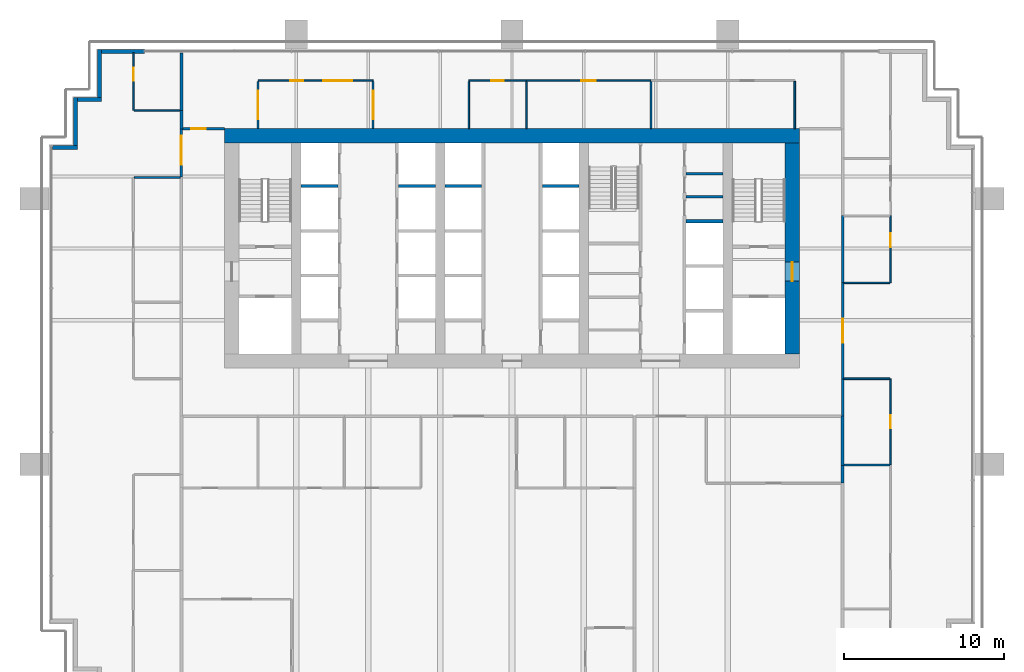
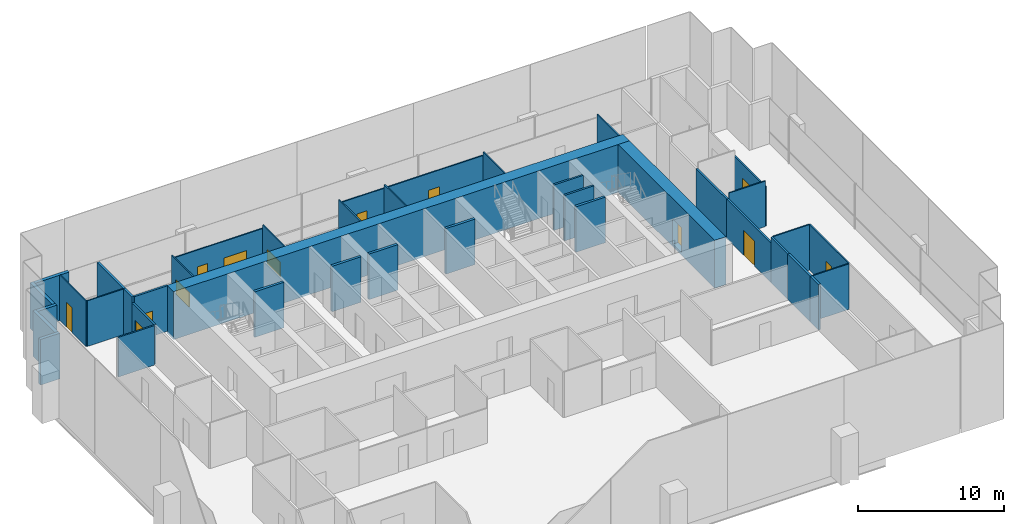
# One storey, part 13 of 17: 40 walls, 10 doors, 3 windows, 13 openings.
"""IFC4 building model written with IfcOpenShell, lengths in metres."""

from ifc_helpers import new_model, si_unit, direction, frame, frame_2d, origin, place, context, subcontext, project, spatial, rectangle, extrude, material, layer, layer_set, type_object, element, fill, save


model = new_model("IFC4")

# Units and contexts
model_context = context("Model", 3, precision=1e-05, world=origin(), true_north=direction((0.0, 1.0)))
body_context = subcontext(model_context, "Body", "Model", "MODEL_VIEW")
ifc_project = project(units=[si_unit("LENGTHUNIT", "METRE"), si_unit("AREAUNIT", "SQUARE_METRE"), si_unit("VOLUMEUNIT", "CUBIC_METRE"), si_unit("PLANEANGLEUNIT", "RADIAN"), si_unit("MASSUNIT", "GRAM", prefix="KILO")], contexts=[model_context])

# Site, building, storey
site_placement = place(None, origin())
site = spatial("IfcSite", under=ifc_project, at=site_placement, CompositionType="ELEMENT")
building_placement = place(site_placement, origin())
building = spatial("IfcBuilding", under=site, at=building_placement, Name="Rattan Terrace Tower", CompositionType="ELEMENT")
storey_placement = place(building_placement, frame((0.0, 0.0, 126.10009765625)))
storey = spatial("IfcBuildingStorey", under=building, at=storey_placement, Name="L28", CompositionType="ELEMENT", Elevation=126.10009765625)

# Walls
ifc_material_1 = material(Name="Gypsum board partition")
ifc_layer_1 = layer(ifc_material_1, 0.14990234375)
ifc_layer_set_1 = layer_set([ifc_layer_1], Name="Core partition 150")
wall_type_1 = type_object("IfcWallType", Name="Core partition 150", PredefinedType="PARTITIONING", material=ifc_layer_set_1)
for number, where, z_axis, x_axis, name in (
    (1, (10.89990234375, 3.239990234375, 0.0), (0.0, 0.0, 1.0), (1.0, 0.0, 0.0), "Riser room wall"),
    (2, (10.89990234375, 4.679931640625, 0.0), (0.0, 0.0, 1.0), (1.0, 0.0, 0.0), "Riser room wall"),
):
    element("IfcWall", number, at=place(storey_placement, frame(where, z_axis=z_axis, x_axis=x_axis)), inside=storey, type_object=wall_type_1, Name=name, PredefinedType="PARTITIONING", context=body_context, shape_type="SweptSolid", body=[
        extrude(rectangle(XDim=2.300048828125, YDim=0.14990234375, at=frame_2d((1.14990234375, 0.0))), origin(), (0.0, 0.0, 1.0), 3.7998046875),
    ])
ifc_material_2 = material(Name="Concrete C60/75", Category="concrete")
ifc_layer_2 = layer(ifc_material_2, 0.89990234375)
ifc_layer_set_2 = layer_set([ifc_layer_2], Name="Core ring wall 900 C60/75")
wall_type_2 = type_object("IfcWallType", Name="Core ring wall 900 C60/75", PredefinedType="SHEAR", material=ifc_layer_set_2)
wall_1_placement = place(storey_placement, frame((-18.0, 7.050048828125, -0.2001953125), z_axis=(0.0, 0.0, 1.0), x_axis=(1.0, 0.0, 0.0)))
element("IfcWall", 3, at=wall_1_placement, inside=storey, type_object=wall_type_2, Name="Rear core wall north", PredefinedType="SHEAR", context=body_context, shape_type="SweptSolid", body=[
    extrude(rectangle(XDim=36.0, YDim=0.89990234375, at=frame_2d((18.0, 0.0))), origin(), (0.0, 0.0, 1.0), 4.0),
])

# Wall, opening, door
wall_2_placement = place(storey_placement, frame((17.550048828125, -6.60009765625, -0.2001953125), z_axis=(0.0, 0.0, 1.0), x_axis=(0.0, 1.0, 0.0)))
wall_2 = element("IfcWall", 4, at=wall_2_placement, inside=storey, type_object=wall_type_2, Name="Rear core wall east", PredefinedType="SHEAR", context=body_context, shape_type="SweptSolid", body=[
    extrude(rectangle(XDim=13.2001953125, YDim=0.89990234375, at=frame_2d((6.60009765625, 0.0))), origin(), (0.0, 0.0, 1.0), 4.0),
])
opening_1_placement = place(wall_2_placement, frame((4.550048828125, 0.0, 0.199951171875)))
opening_1 = element("IfcOpeningElement", 5, at=opening_1_placement, cuts=wall_2, Name="Opening L28-D003", PredefinedType="OPENING", context=body_context, shape_type="SweptSolid", body=[
    extrude(rectangle(XDim=1.199951171875, YDim=2.10009765625, at=frame_2d((0.60009765625, 1.050048828125))), frame((0.0, 0.46044921875, 0.0), z_axis=(0.0, -1.0, 0.0), x_axis=(1.0, 0.0, 0.0)), (0.0, 0.0, 1.0), 0.9208984375),
])
ifc_material_3 = material(Name="Hollow-metal fire door leaf")
door_type_1 = type_object("IfcDoorType", Name="Core fire-fighting lobby door 1200", OperationType="NOTDEFINED", PredefinedType="DOOR", material=ifc_material_3)
door_1_placement = place(opening_1_placement, origin())
door_1 = element("IfcDoor", 6, at=door_1_placement, inside=storey, type_object=door_type_1, Name="Door L28-D003", OperationType="SINGLE_SWING_LEFT", OverallHeight=2.10009765625, OverallWidth=1.199951171875, PredefinedType="DOOR", context=body_context, shape_type="SweptSolid", body=[
    extrude(rectangle(XDim=1.199951171875, YDim=2.10009765625, at=frame_2d((0.60009765625, 1.050048828125))), frame((0.0, 0.02490234375, 0.0), z_axis=(0.0, -1.0, 0.0), x_axis=(1.0, 0.0, 0.0)), (0.0, 0.0, 1.0), 0.050048828125),
])
fill(opening_1, door_1)

# Walls
ifc_material_4 = material(Name="Insulated aluminium-clad stud wall", Category="aluminium")
ifc_layer_3 = layer(ifc_material_4, 0.25)
ifc_layer_set_3 = layer_set([ifc_layer_3], Name="Facade Riser Wall 250")
wall_type_3 = type_object("IfcWallType", Name="Facade Riser Wall 250", PredefinedType="SOLIDWALL", material=ifc_layer_set_3)
wall_3_placement = place(storey_placement, frame((-23.0, 12.330078125, 0.0), z_axis=(0.0, 0.0, 1.0), x_axis=(-1.0, 0.0, 0.0)))
element("IfcWall", 7, at=wall_3_placement, inside=storey, type_object=wall_type_3, Name="Riser wall L28-11", PredefinedType="SOLIDWALL", context=body_context, shape_type="SweptSolid", body=[
    extrude(rectangle(XDim=2.705078125, YDim=0.25, at=frame_2d((1.3525390625, 0.0))), origin(), (0.0, 0.0, 1.0), 3.7998046875),
])
wall_4_placement = place(storey_placement, frame((-25.830078125, 12.455078125, 0.0), z_axis=(0.0, 0.0, 1.0), x_axis=(0.0, -1.0, 0.0)))
element("IfcWall", 8, at=wall_4_placement, inside=storey, type_object=wall_type_3, Name="Riser wall L28-12", PredefinedType="SOLIDWALL", context=body_context, shape_type="SweptSolid", body=[
    extrude(rectangle(XDim=3.0, YDim=0.25, at=frame_2d((1.5, 0.0))), origin(), (0.0, 0.0, 1.0), 3.7998046875),
])
wall_5_placement = place(storey_placement, frame((-25.705078125, 9.330078125, 0.0), z_axis=(0.0, 0.0, 1.0), x_axis=(-1.0, 0.0, 0.0)))
element("IfcWall", 9, at=wall_5_placement, inside=storey, type_object=wall_type_3, Name="Riser wall L28-13", PredefinedType="SOLIDWALL", context=body_context, shape_type="SweptSolid", body=[
    extrude(rectangle(XDim=1.5, YDim=0.25, at=frame_2d((0.75, 0.0))), origin(), (0.0, 0.0, 1.0), 3.7998046875),
])
wall_6_placement = place(storey_placement, frame((-27.330078125, 9.455078125, 0.0), z_axis=(0.0, 0.0, 1.0), x_axis=(0.0, -1.0, 0.0)))
element("IfcWall", 10, at=wall_6_placement, inside=storey, type_object=wall_type_3, Name="Riser wall L28-14", PredefinedType="SOLIDWALL", context=body_context, shape_type="SweptSolid", body=[
    extrude(rectangle(XDim=3.0, YDim=0.25, at=frame_2d((1.5, 0.0))), origin(), (0.0, 0.0, 1.0), 3.7998046875),
])
wall_7_placement = place(storey_placement, frame((-27.205078125, 6.330078125, 0.0), z_axis=(0.0, 0.0, 1.0), x_axis=(-1.0, 0.0, 0.0)))
element("IfcWall", 11, at=wall_7_placement, inside=storey, type_object=wall_type_3, Name="Riser wall L28-15", PredefinedType="SOLIDWALL", context=body_context, shape_type="SweptSolid", body=[
    extrude(rectangle(XDim=1.544921875, YDim=0.25, at=frame_2d((0.7724609375, 0.0))), origin(), (0.0, 0.0, 1.0), 3.7998046875),
])
ifc_material_5 = material(Name="Double steel stud acoustic partition, gypsum board, mineral wool, fire rated", Category="steel")
ifc_layer_4 = layer(ifc_material_5, 0.179931640625)
ifc_layer_set_4 = layer_set([ifc_layer_4], Name="Floors Acoustic Party Wall 180")
wall_type_4 = type_object("IfcWallType", Name="Floors Acoustic Party Wall 180", PredefinedType="PARTITIONING", material=ifc_layer_set_4)
wall_8_placement = place(storey_placement, frame((-20.699951171875, 8.639892578125, 0.0), z_axis=(0.0, 0.0, 1.0), x_axis=(0.0, -1.0, 0.0)))
element("IfcWall", 12, at=wall_8_placement, inside=storey, type_object=wall_type_4, Name="pt-L28-030", PredefinedType="PARTITIONING", context=body_context, shape_type="SweptSolid", body=[
    extrude(rectangle(XDim=1.159912109375, YDim=0.179931640625, at=frame_2d((0.580078125, 0.0))), origin(), (0.0, 0.0, 1.0), 3.7998046875),
])
wall_9_placement = place(storey_placement, frame((-20.699951171875, 12.239990234375, 0.0), z_axis=(0.0, 0.0, 1.0), x_axis=(0.0, -1.0, 0.0)))
element("IfcWall", 13, at=wall_9_placement, inside=storey, type_object=wall_type_4, Name="pt-L28-037", PredefinedType="PARTITIONING", context=body_context, shape_type="SweptSolid", body=[
    extrude(rectangle(XDim=3.60009765625, YDim=0.179931640625, at=frame_2d((1.800048828125, 0.0))), origin(), (0.0, 0.0, 1.0), 3.7998046875),
])
wall_10_placement = place(storey_placement, frame((20.699951171875, -13.580078125, 0.0), z_axis=(0.0, 0.0, 1.0), x_axis=(0.0, -1.0, 0.0)))
element("IfcWall", 14, at=wall_10_placement, inside=storey, type_object=wall_type_4, Name="pt-L28-060", PredefinedType="PARTITIONING", context=body_context, shape_type="SweptSolid", body=[
    extrude(rectangle(XDim=1.119873046875, YDim=0.179931640625, at=frame_2d((0.56005859375, 0.0))), origin(), (0.0, 0.0, 1.0), 3.7998046875),
])
wall_11_placement = place(storey_placement, frame((20.699951171875, -10.5, 0.0), z_axis=(0.0, 0.0, 1.0), x_axis=(0.0, -1.0, 0.0)))
element("IfcWall", 15, at=wall_11_placement, inside=storey, type_object=wall_type_4, Name="pt-L28-061", PredefinedType="PARTITIONING", context=body_context, shape_type="SweptSolid", body=[
    extrude(rectangle(XDim=3.080078125, YDim=0.179931640625, at=frame_2d((1.5400390625, 0.0))), origin(), (0.0, 0.0, 1.0), 3.7998046875),
])

# Wall, opening, door
ifc_material_6 = material(Name="Gypsum board partition on steel studs", Category="steel")
ifc_layer_5 = layer(ifc_material_6, 0.10009765625)
ifc_layer_set_5 = layer_set([ifc_layer_5], Name="Floors Partition 100")
wall_type_5 = type_object("IfcWallType", Name="Floors Partition 100", PredefinedType="PARTITIONING", material=ifc_layer_set_5)
wall_12_placement = place(storey_placement, frame((-23.699951171875, 12.239990234375, 0.0), z_axis=(0.0, 0.0, 1.0), x_axis=(0.0, -1.0, 0.0)))
wall_12 = element("IfcWall", 16, at=wall_12_placement, inside=storey, type_object=wall_type_5, Name="pt-L28-027", PredefinedType="PARTITIONING", context=body_context, shape_type="SweptSolid", body=[
    extrude(rectangle(XDim=3.60009765625, YDim=0.10009765625, at=frame_2d((1.800048828125, 0.0))), origin(), (0.0, 0.0, 1.0), 3.7998046875),
])
opening_2_placement = place(wall_12_placement, frame((0.93994140625, 0.0, 0.0)))
opening_2 = element("IfcOpeningElement", 17, at=opening_2_placement, cuts=wall_12, Name="Opening L28-D105", PredefinedType="OPENING", context=body_context, shape_type="SweptSolid", body=[
    extrude(rectangle(XDim=0.800048828125, YDim=2.10009765625, at=frame_2d((0.39990234375, 1.050048828125))), frame((0.0, 0.060546875, 0.0), z_axis=(0.0, -1.0, 0.0), x_axis=(1.0, 0.0, 0.0)), (0.0, 0.0, 1.0), 0.12109375),
])
ifc_material_7 = material(Name="Solid core timber door, painted", Category="wood")
door_type_2 = type_object("IfcDoorType", Name="Floors Store Door 800x2100", OperationType="NOTDEFINED", PredefinedType="DOOR", material=ifc_material_7)
door_2_placement = place(opening_2_placement, origin())
door_2 = element("IfcDoor", 18, at=door_2_placement, inside=storey, type_object=door_type_2, Name="d-L28-105", OperationType="SINGLE_SWING_LEFT", OverallHeight=2.10009765625, OverallWidth=0.800048828125, PredefinedType="DOOR", context=body_context, shape_type="SweptSolid", body=[
    extrude(rectangle(XDim=0.800048828125, YDim=2.10009765625, at=frame_2d((0.39990234375, 1.050048828125))), frame((0.0, 0.02490234375, 0.0), z_axis=(0.0, -1.0, 0.0), x_axis=(1.0, 0.0, 0.0)), (0.0, 0.0, 1.0), 0.050048828125),
])
fill(opening_2, door_2)

# Walls
wall_13_placement = place(storey_placement, frame((-23.64990234375, 8.639892578125, 0.0), z_axis=(0.0, 0.0, 1.0), x_axis=(1.0, 0.0, 0.0)))
element("IfcWall", 19, at=wall_13_placement, inside=storey, type_object=wall_type_5, Name="pt-L28-028", PredefinedType="PARTITIONING", context=body_context, shape_type="SweptSolid", body=[
    extrude(rectangle(XDim=2.85986328125, YDim=0.10009765625, at=frame_2d((1.429931640625, 0.0))), origin(), (0.0, 0.0, 1.0), 3.7998046875),
])
wall_14_placement = place(storey_placement, frame((23.64990234375, -8.159912109375, 0.0), z_axis=(0.0, 0.0, 1.0), x_axis=(-1.0, 0.0, 0.0)))
element("IfcWall", 20, at=wall_14_placement, inside=storey, type_object=wall_type_5, Name="pt-L28-065", PredefinedType="PARTITIONING", context=body_context, shape_type="SweptSolid", body=[
    extrude(rectangle(XDim=2.875, YDim=0.10009765625, at=frame_2d((1.4375, 0.0))), origin(), (0.0, 0.0, 1.0), 3.7998046875),
])

# Wall, opening, door
wall_15_placement = place(storey_placement, frame((23.699951171875, -13.5400390625, 0.0), z_axis=(0.0, 0.0, 1.0), x_axis=(0.0, 1.0, 0.0)))
wall_15 = element("IfcWall", 21, at=wall_15_placement, inside=storey, type_object=wall_type_5, Name="pt-L28-066", PredefinedType="PARTITIONING", context=body_context, shape_type="SweptSolid", body=[
    extrude(rectangle(XDim=5.380126953125, YDim=0.10009765625, at=frame_2d((2.68994140625, 0.0))), origin(), (0.0, 0.0, 1.0), 3.7998046875),
])
opening_3_placement = place(wall_15_placement, frame((2.2900390625, 0.0, 0.0)))
opening_3 = element("IfcOpeningElement", 22, at=opening_3_placement, cuts=wall_15, Name="Opening L28-D120", PredefinedType="OPENING", context=body_context, shape_type="SweptSolid", body=[
    extrude(rectangle(XDim=0.800048828125, YDim=2.10009765625, at=frame_2d((0.39990234375, 1.050048828125))), frame((0.0, 0.060546875, 0.0), z_axis=(0.0, -1.0, 0.0), x_axis=(1.0, 0.0, 0.0)), (0.0, 0.0, 1.0), 0.12109375),
])
door_3_placement = place(opening_3_placement, origin())
door_3 = element("IfcDoor", 23, at=door_3_placement, inside=storey, type_object=door_type_2, Name="d-L28-120", OperationType="SINGLE_SWING_LEFT", OverallHeight=2.10009765625, OverallWidth=0.800048828125, PredefinedType="DOOR", context=body_context, shape_type="SweptSolid", body=[
    extrude(rectangle(XDim=0.800048828125, YDim=2.10009765625, at=frame_2d((0.39990234375, 1.050048828125))), frame((0.0, 0.02490234375, 0.0), z_axis=(0.0, -1.0, 0.0), x_axis=(1.0, 0.0, 0.0)), (0.0, 0.0, 1.0), 0.050048828125),
])
fill(opening_3, door_3)

# Wall
wall_16_placement = place(storey_placement, frame((20.77490234375, -2.159912109375, 0.0), z_axis=(0.0, 0.0, 1.0), x_axis=(1.0, 0.0, 0.0)))
element("IfcWall", 24, at=wall_16_placement, inside=storey, type_object=wall_type_5, Name="pt-L28-067", PredefinedType="PARTITIONING", context=body_context, shape_type="SweptSolid", body=[
    extrude(rectangle(XDim=2.875, YDim=0.10009765625, at=frame_2d((1.4375, 0.0))), origin(), (0.0, 0.0, 1.0), 3.7998046875),
])

# Wall, opening, door
wall_17_placement = place(storey_placement, frame((23.699951171875, -2.159912109375, 0.0), z_axis=(0.0, 0.0, 1.0), x_axis=(0.0, 1.0, 0.0)))
wall_17 = element("IfcWall", 25, at=wall_17_placement, inside=storey, type_object=wall_type_5, Name="pt-L28-068", PredefinedType="PARTITIONING", context=body_context, shape_type="SweptSolid", body=[
    extrude(rectangle(XDim=4.219970703125, YDim=0.10009765625, at=frame_2d((2.10986328125, 0.0))), origin(), (0.0, 0.0, 1.0), 3.2998046875),
])
opening_4_placement = place(wall_17_placement, frame((2.22412109375, 0.0, 0.0)))
opening_4 = element("IfcOpeningElement", 26, at=opening_4_placement, cuts=wall_17, Name="Opening L28-D121", PredefinedType="OPENING", context=body_context, shape_type="SweptSolid", body=[
    extrude(rectangle(XDim=0.89990234375, YDim=2.10009765625, at=frame_2d((0.449951171875, 1.050048828125))), frame((0.0, 0.060546875, 0.0), z_axis=(0.0, -1.0, 0.0), x_axis=(1.0, 0.0, 0.0)), (0.0, 0.0, 1.0), 0.12109375),
])
ifc_material_8 = material(Name="Solid core timber door, painted", Category="wood")
door_type_3 = type_object("IfcDoorType", Name="Floors Door 900x2100", OperationType="NOTDEFINED", PredefinedType="DOOR", material=ifc_material_8)
door_4_placement = place(opening_4_placement, origin())
door_4 = element("IfcDoor", 27, at=door_4_placement, inside=storey, type_object=door_type_3, Name="d-L28-121", OperationType="SINGLE_SWING_RIGHT", OverallHeight=2.10009765625, OverallWidth=0.89990234375, PredefinedType="DOOR", context=body_context, shape_type="SweptSolid", body=[
    extrude(rectangle(XDim=0.89990234375, YDim=2.10009765625, at=frame_2d((0.449951171875, 1.050048828125))), frame((0.0, 0.02490234375, 0.0), z_axis=(0.0, -1.0, 0.0), x_axis=(1.0, 0.0, 0.0)), (0.0, 0.0, 1.0), 0.050048828125),
])
fill(opening_4, door_4)

# Wall
wall_18_placement = place(storey_placement, frame((20.7900390625, -13.56005859375, 0.0), z_axis=(0.0, 0.0, 1.0), x_axis=(1.0, 0.0, 0.0)))
element("IfcWall", 28, at=wall_18_placement, inside=storey, type_object=wall_type_5, Name="pt-L28-073", PredefinedType="PARTITIONING", context=body_context, shape_type="SweptSolid", body=[
    extrude(rectangle(XDim=2.85986328125, YDim=0.10009765625, at=frame_2d((1.429931640625, 0.0))), origin(), (0.0, 0.0, 1.0), 3.7998046875),
])

# Wall, opening, window
wall_19_placement = place(storey_placement, frame((-15.89990234375, 10.449951171875, 0.0), z_axis=(0.0, 0.0, 1.0), x_axis=(0.0, -1.0, 0.0)))
wall_19 = element("IfcWall", 29, at=wall_19_placement, inside=storey, type_object=wall_type_5, Name="pt-L28-077", PredefinedType="PARTITIONING", context=body_context, shape_type="SweptSolid", body=[
    extrude(rectangle(XDim=2.949951171875, YDim=0.10009765625, at=frame_2d((1.47509765625, 0.0))), origin(), (0.0, 0.0, 1.0), 3.7998046875),
])
opening_5_placement = place(wall_19_placement, frame((0.574951171875, 0.0, 0.89990234375)))
opening_5 = element("IfcOpeningElement", 30, at=opening_5_placement, cuts=wall_19, Name="Opening L28-W105", PredefinedType="OPENING", context=body_context, shape_type="SweptSolid", body=[
    extrude(rectangle(XDim=1.800048828125, YDim=1.199951171875, at=frame_2d((0.89990234375, 0.60009765625))), frame((0.0, 0.060546875, 0.0), z_axis=(0.0, -1.0, 0.0), x_axis=(1.0, 0.0, 0.0)), (0.0, 0.0, 1.0), 0.12109375),
])
ifc_material_9 = material(Name="Glass, clear, fixed in aluminium frame", Category="aluminium")
window_type = type_object("IfcWindowType", Name="Interior Vision Window 1800x1200", PartitioningType="SINGLE_PANEL", PredefinedType="WINDOW", material=ifc_material_9)
window_1_placement = place(opening_5_placement, origin())
window_1 = element("IfcWindow", 31, at=window_1_placement, inside=storey, type_object=window_type, Name="w-L28-105", OverallHeight=1.199951171875, OverallWidth=1.800048828125, PartitioningType="SINGLE_PANEL", PredefinedType="WINDOW", context=body_context, shape_type="SweptSolid", body=[
    extrude(rectangle(XDim=1.800048828125, YDim=1.199951171875, at=frame_2d((0.89990234375, 0.60009765625))), frame((0.0, 0.030029296875, 0.0), z_axis=(0.0, -1.0, 0.0), x_axis=(1.0, 0.0, 0.0)), (0.0, 0.0, 1.0), 0.06005859375),
])
fill(opening_5, window_1)

# Wall, openings, door, window
wall_20_placement = place(storey_placement, frame((-8.699951171875, 10.5, 0.0), z_axis=(0.0, 0.0, 1.0), x_axis=(-1.0, 0.0, 0.0)))
wall_20 = element("IfcWall", 32, at=wall_20_placement, inside=storey, type_object=wall_type_5, Name="pt-L28-078", PredefinedType="PARTITIONING", context=body_context, shape_type="SweptSolid", body=[
    extrude(rectangle(XDim=7.199951171875, YDim=0.10009765625, at=frame_2d((3.60009765625, 0.0))), origin(), (0.0, 0.0, 1.0), 3.5),
])
opening_6_placement = place(wall_20_placement, frame((4.3798828125, 0.0, 0.0)))
opening_6 = element("IfcOpeningElement", 33, at=opening_6_placement, cuts=wall_20, Name="Opening L28-D125", PredefinedType="OPENING", context=body_context, shape_type="SweptSolid", body=[
    extrude(rectangle(XDim=0.800048828125, YDim=2.10009765625, at=frame_2d((0.39990234375, 1.050048828125))), frame((0.0, 0.060546875, 0.0), z_axis=(0.0, -1.0, 0.0), x_axis=(1.0, 0.0, 0.0)), (0.0, 0.0, 1.0), 0.12109375),
])
opening_7_placement = place(wall_20_placement, frame((1.31494140625, 0.0, 0.89990234375)))
opening_7 = element("IfcOpeningElement", 34, at=opening_7_placement, cuts=wall_20, Name="Opening L28-W106", PredefinedType="OPENING", context=body_context, shape_type="SweptSolid", body=[
    extrude(rectangle(XDim=1.800048828125, YDim=1.199951171875, at=frame_2d((0.89990234375, 0.60009765625))), frame((0.0, 0.060546875, 0.0), z_axis=(0.0, -1.0, 0.0), x_axis=(1.0, 0.0, 0.0)), (0.0, 0.0, 1.0), 0.12109375),
])
door_5_placement = place(opening_6_placement, origin())
door_5 = element("IfcDoor", 35, at=door_5_placement, inside=storey, type_object=door_type_2, Name="d-L28-125", OperationType="SINGLE_SWING_RIGHT", OverallHeight=2.10009765625, OverallWidth=0.800048828125, PredefinedType="DOOR", context=body_context, shape_type="SweptSolid", body=[
    extrude(rectangle(XDim=0.800048828125, YDim=2.10009765625, at=frame_2d((0.39990234375, 1.050048828125))), frame((0.0, 0.02490234375, 0.0), z_axis=(0.0, -1.0, 0.0), x_axis=(1.0, 0.0, 0.0)), (0.0, 0.0, 1.0), 0.050048828125),
])
fill(opening_6, door_5)
window_2_placement = place(opening_7_placement, origin())
window_2 = element("IfcWindow", 36, at=window_2_placement, inside=storey, type_object=window_type, Name="w-L28-106", OverallHeight=1.199951171875, OverallWidth=1.800048828125, PartitioningType="SINGLE_PANEL", PredefinedType="WINDOW", context=body_context, shape_type="SweptSolid", body=[
    extrude(rectangle(XDim=1.800048828125, YDim=1.199951171875, at=frame_2d((0.89990234375, 0.60009765625))), frame((0.0, 0.030029296875, 0.0), z_axis=(0.0, -1.0, 0.0), x_axis=(1.0, 0.0, 0.0)), (0.0, 0.0, 1.0), 0.06005859375),
])
fill(opening_7, window_2)

# Wall, opening, window
wall_21_placement = place(storey_placement, frame((-8.699951171875, 7.5, 0.0), z_axis=(0.0, 0.0, 1.0), x_axis=(0.0, 1.0, 0.0)))
wall_21 = element("IfcWall", 37, at=wall_21_placement, inside=storey, type_object=wall_type_5, Name="pt-L28-079", PredefinedType="PARTITIONING", context=body_context, shape_type="SweptSolid", body=[
    extrude(rectangle(XDim=2.949951171875, YDim=0.10009765625, at=frame_2d((1.47509765625, 0.0))), origin(), (0.0, 0.0, 1.0), 3.7998046875),
])
opening_8_placement = place(wall_21_placement, frame((0.574951171875, 0.0, 0.89990234375)))
opening_8 = element("IfcOpeningElement", 38, at=opening_8_placement, cuts=wall_21, Name="Opening L28-W107", PredefinedType="OPENING", context=body_context, shape_type="SweptSolid", body=[
    extrude(rectangle(XDim=1.800048828125, YDim=1.199951171875, at=frame_2d((0.89990234375, 0.60009765625))), frame((0.0, 0.060546875, 0.0), z_axis=(0.0, -1.0, 0.0), x_axis=(1.0, 0.0, 0.0)), (0.0, 0.0, 1.0), 0.12109375),
])
window_3_placement = place(opening_8_placement, origin())
window_3 = element("IfcWindow", 39, at=window_3_placement, inside=storey, type_object=window_type, Name="w-L28-107", OverallHeight=1.199951171875, OverallWidth=1.800048828125, PartitioningType="SINGLE_PANEL", PredefinedType="WINDOW", context=body_context, shape_type="SweptSolid", body=[
    extrude(rectangle(XDim=1.800048828125, YDim=1.199951171875, at=frame_2d((0.89990234375, 0.60009765625))), frame((0.0, 0.030029296875, 0.0), z_axis=(0.0, -1.0, 0.0), x_axis=(1.0, 0.0, 0.0)), (0.0, 0.0, 1.0), 0.06005859375),
])
fill(opening_8, window_3)

# Wall
wall_22_placement = place(storey_placement, frame((-2.699951171875, 10.449951171875, 0.0), z_axis=(0.0, 0.0, 1.0), x_axis=(0.0, -1.0, 0.0)))
element("IfcWall", 40, at=wall_22_placement, inside=storey, type_object=wall_type_5, Name="pt-L28-080", PredefinedType="PARTITIONING", context=body_context, shape_type="SweptSolid", body=[
    extrude(rectangle(XDim=2.949951171875, YDim=0.10009765625, at=frame_2d((1.47509765625, 0.0))), origin(), (0.0, 0.0, 1.0), 3.7998046875),
])

# Wall, opening, door
wall_23_placement = place(storey_placement, frame((0.8798828125, 10.5, 0.0), z_axis=(0.0, 0.0, 1.0), x_axis=(-1.0, 0.0, 0.0)))
wall_23 = element("IfcWall", 41, at=wall_23_placement, inside=storey, type_object=wall_type_5, Name="pt-L28-081", PredefinedType="PARTITIONING", context=body_context, shape_type="SweptSolid", body=[
    extrude(rectangle(XDim=3.579833984375, YDim=0.10009765625, at=frame_2d((1.7900390625, 0.0))), origin(), (0.0, 0.0, 1.0), 3.5),
])
opening_9_placement = place(wall_23_placement, frame((1.389892578125, 0.0, 0.0)))
opening_9 = element("IfcOpeningElement", 42, at=opening_9_placement, cuts=wall_23, Name="Opening L28-D126", PredefinedType="OPENING", context=body_context, shape_type="SweptSolid", body=[
    extrude(rectangle(XDim=0.800048828125, YDim=2.10009765625, at=frame_2d((0.39990234375, 1.050048828125))), frame((0.0, 0.060546875, 0.0), z_axis=(0.0, -1.0, 0.0), x_axis=(1.0, 0.0, 0.0)), (0.0, 0.0, 1.0), 0.12109375),
])
door_6_placement = place(opening_9_placement, origin())
door_6 = element("IfcDoor", 43, at=door_6_placement, inside=storey, type_object=door_type_2, Name="d-L28-126", OperationType="SINGLE_SWING_LEFT", OverallHeight=2.10009765625, OverallWidth=0.800048828125, PredefinedType="DOOR", context=body_context, shape_type="SweptSolid", body=[
    extrude(rectangle(XDim=0.800048828125, YDim=2.10009765625, at=frame_2d((0.39990234375, 1.050048828125))), frame((0.0, 0.02490234375, 0.0), z_axis=(0.0, -1.0, 0.0), x_axis=(1.0, 0.0, 0.0)), (0.0, 0.0, 1.0), 0.050048828125),
])
fill(opening_9, door_6)

wall_24_placement = place(storey_placement, frame((8.679931640625, 10.5, 0.0), z_axis=(0.0, 0.0, 1.0), x_axis=(-1.0, 0.0, 0.0)))
wall_24 = element("IfcWall", 44, at=wall_24_placement, inside=storey, type_object=wall_type_5, Name="pt-L28-082", PredefinedType="PARTITIONING", context=body_context, shape_type="SweptSolid", body=[
    extrude(rectangle(XDim=7.800048828125, YDim=0.10009765625, at=frame_2d((3.89990234375, 0.0))), origin(), (0.0, 0.0, 1.0), 3.5),
])
opening_10_placement = place(wall_24_placement, frame((3.449951171875, 0.0, 0.0)))
opening_10 = element("IfcOpeningElement", 45, at=opening_10_placement, cuts=wall_24, Name="Opening L28-D127", PredefinedType="OPENING", context=body_context, shape_type="SweptSolid", body=[
    extrude(rectangle(XDim=0.89990234375, YDim=2.10009765625, at=frame_2d((0.449951171875, 1.050048828125))), frame((0.0, 0.060546875, 0.0), z_axis=(0.0, -1.0, 0.0), x_axis=(1.0, 0.0, 0.0)), (0.0, 0.0, 1.0), 0.12109375),
])
door_7_placement = place(opening_10_placement, origin())
door_7 = element("IfcDoor", 46, at=door_7_placement, inside=storey, type_object=door_type_3, Name="d-L28-127", OperationType="SINGLE_SWING_RIGHT", OverallHeight=2.10009765625, OverallWidth=0.89990234375, PredefinedType="DOOR", context=body_context, shape_type="SweptSolid", body=[
    extrude(rectangle(XDim=0.89990234375, YDim=2.10009765625, at=frame_2d((0.449951171875, 1.050048828125))), frame((0.0, 0.02490234375, 0.0), z_axis=(0.0, -1.0, 0.0), x_axis=(1.0, 0.0, 0.0)), (0.0, 0.0, 1.0), 0.050048828125),
])
fill(opening_10, door_7)

# Walls
for number, where, z_axis, x_axis, name in (
    (47, (17.699951171875, 7.5, 0.0), (0.0, 0.0, 1.0), (0.0, 1.0, 0.0), "pt-L28-084"),
    (48, (0.89990234375, 10.449951171875, 0.0), (0.0, 0.0, 1.0), (0.0, -1.0, 0.0), "pt-L28-085"),
    (49, (8.699951171875, 10.449951171875, 0.0), (0.0, 0.0, 1.0), (0.0, -1.0, 0.0), "pt-L28-086"),
):
    element("IfcWall", number, at=place(storey_placement, frame(where, z_axis=z_axis, x_axis=x_axis)), inside=storey, type_object=wall_type_5, Name=name, PredefinedType="PARTITIONING", context=body_context, shape_type="SweptSolid", body=[
        extrude(rectangle(XDim=2.949951171875, YDim=0.10009765625, at=frame_2d((1.47509765625, 0.0))), origin(), (0.0, 0.0, 1.0), 3.7998046875),
    ])

# Wall, opening, door
ifc_material_10 = material(Name="Gypsum board partition on steel studs, fire rated", Category="steel")
ifc_layer_6 = layer(ifc_material_10, 0.14990234375)
ifc_layer_set_6 = layer_set([ifc_layer_6], Name="Floors Tenancy Wall 150")
wall_type_6 = type_object("IfcWallType", Name="Floors Tenancy Wall 150", PredefinedType="PARTITIONING", material=ifc_layer_set_6)
wall_25_placement = place(storey_placement, frame((-20.699951171875, 4.4599609375, 0.0), z_axis=(0.0, 0.0, 1.0), x_axis=(0.0, 1.0, 0.0)))
wall_25 = element("IfcWall", 50, at=wall_25_placement, inside=storey, type_object=wall_type_6, Name="pt-L28-002", PredefinedType="PARTITIONING", context=body_context, shape_type="SweptSolid", body=[
    extrude(rectangle(XDim=3.02001953125, YDim=0.14990234375, at=frame_2d((1.510009765625, 0.0))), origin(), (0.0, 0.0, 1.0), 3.2998046875),
])
opening_11_placement = place(wall_25_placement, frame((0.7900390625, 0.0, 0.0)))
opening_11 = element("IfcOpeningElement", 51, at=opening_11_placement, cuts=wall_25, Name="Opening L28-D100", PredefinedType="OPENING", context=body_context, shape_type="SweptSolid", body=[
    extrude(rectangle(XDim=1.800048828125, YDim=2.10009765625, at=frame_2d((0.89990234375, 1.050048828125))), frame((0.0, 0.08544921875, 0.0), z_axis=(0.0, -1.0, 0.0), x_axis=(1.0, 0.0, 0.0)), (0.0, 0.0, 1.0), 0.1708984375),
])
ifc_material_11 = material(Name="Steel fire door set", Category="steel")
door_type_4 = type_object("IfcDoorType", Name="Floors Fire Door Pair FD30S 1800x2100", OperationType="NOTDEFINED", PredefinedType="DOOR", material=ifc_material_11)
door_8_placement = place(opening_11_placement, origin())
door_8 = element("IfcDoor", 52, at=door_8_placement, inside=storey, type_object=door_type_4, Name="d-L28-100", OperationType="DOUBLE_DOOR_SINGLE_SWING", OverallHeight=2.10009765625, OverallWidth=1.800048828125, PredefinedType="DOOR", context=body_context, shape_type="SweptSolid", body=[
    extrude(rectangle(XDim=1.800048828125, YDim=2.10009765625, at=frame_2d((0.89990234375, 1.050048828125))), frame((0.0, 0.02490234375, 0.0), z_axis=(0.0, -1.0, 0.0), x_axis=(1.0, 0.0, 0.0)), (0.0, 0.0, 1.0), 0.050048828125),
])
fill(opening_11, door_8)

wall_26_placement = place(storey_placement, frame((20.699951171875, -2.139892578125, 0.0), z_axis=(0.0, 0.0, 1.0), x_axis=(0.0, -1.0, 0.0)))
wall_26 = element("IfcWall", 53, at=wall_26_placement, inside=storey, type_object=wall_type_6, Name="pt-L28-013", PredefinedType="PARTITIONING", context=body_context, shape_type="SweptSolid", body=[
    extrude(rectangle(XDim=6.0400390625, YDim=0.14990234375, at=frame_2d((3.02001953125, 0.0))), origin(), (0.0, 0.0, 1.0), 3.2998046875),
])
opening_12_placement = place(wall_26_placement, frame((2.27001953125, 0.0, 0.0)))
opening_12 = element("IfcOpeningElement", 54, at=opening_12_placement, cuts=wall_26, Name="Opening L28-D116", PredefinedType="OPENING", context=body_context, shape_type="SweptSolid", body=[
    extrude(rectangle(XDim=1.5, YDim=2.10009765625, at=frame_2d((0.75, 1.050048828125))), frame((0.0, 0.08544921875, 0.0), z_axis=(0.0, -1.0, 0.0), x_axis=(1.0, 0.0, 0.0)), (0.0, 0.0, 1.0), 0.1708984375),
])
ifc_material_12 = material(Name="Steel fire door set", Category="steel")
door_type_5 = type_object("IfcDoorType", Name="Floors Unit Door Pair FD30S 1500x2100", OperationType="NOTDEFINED", PredefinedType="DOOR", material=ifc_material_12)
door_9_placement = place(opening_12_placement, origin())
door_9 = element("IfcDoor", 55, at=door_9_placement, inside=storey, type_object=door_type_5, Name="d-L28-116", OperationType="DOUBLE_DOOR_SINGLE_SWING", OverallHeight=2.10009765625, OverallWidth=1.5, PredefinedType="DOOR", context=body_context, shape_type="SweptSolid", body=[
    extrude(rectangle(XDim=1.5, YDim=2.10009765625, at=frame_2d((0.75, 1.050048828125))), frame((0.0, 0.02490234375, 0.0), z_axis=(0.0, -1.0, 0.0), x_axis=(1.0, 0.0, 0.0)), (0.0, 0.0, 1.0), 0.050048828125),
])
fill(opening_12, door_9)

# Walls
wall_27_placement = place(storey_placement, frame((20.700927734375, -8.179931640625, 0.0), z_axis=(0.0, 0.0, 1.0), x_axis=(0.0, -1.0, 0.0)))
element("IfcWall", 56, at=wall_27_placement, inside=storey, type_object=wall_type_6, Name="pt-L28-014", PredefinedType="PARTITIONING", context=body_context, shape_type="SweptSolid", body=[
    extrude(rectangle(XDim=2.320068359375, YDim=0.14990234375, at=frame_2d((1.16015625, 0.0))), origin(), (0.0, 0.0, 1.0), 3.7998046875),
])
wall_28_placement = place(storey_placement, frame((20.699951171875, 2.06005859375, 0.0), z_axis=(0.0, 0.0, 1.0), x_axis=(0.0, -1.0, 0.0)))
element("IfcWall", 57, at=wall_28_placement, inside=storey, type_object=wall_type_6, Name="pt-L28-015", PredefinedType="PARTITIONING", context=body_context, shape_type="SweptSolid", body=[
    extrude(rectangle(XDim=4.199951171875, YDim=0.14990234375, at=frame_2d((2.10009765625, 0.0))), origin(), (0.0, 0.0, 1.0), 3.2998046875),
])

# Wall, opening, door
wall_29_placement = place(storey_placement, frame((-20.625, 7.5, 0.0), z_axis=(0.0, 0.0, 1.0), x_axis=(1.0, 0.0, 0.0)))
wall_29 = element("IfcWall", 58, at=wall_29_placement, inside=storey, type_object=wall_type_6, Name="pt-L28-018", PredefinedType="PARTITIONING", context=body_context, shape_type="SweptSolid", body=[
    extrude(rectangle(XDim=2.625, YDim=0.14990234375, at=frame_2d((1.3125, 0.0))), origin(), (0.0, 0.0, 1.0), 3.7998046875),
])
opening_13_placement = place(wall_29_placement, frame((0.555908203125, 0.0, 0.0)))
opening_13 = element("IfcOpeningElement", 59, at=opening_13_placement, cuts=wall_29, Name="Opening L28-D124", PredefinedType="OPENING", context=body_context, shape_type="SweptSolid", body=[
    extrude(rectangle(XDim=0.89990234375, YDim=2.10009765625, at=frame_2d((0.449951171875, 1.050048828125))), frame((0.0, 0.08544921875, 0.0), z_axis=(0.0, -1.0, 0.0), x_axis=(1.0, 0.0, 0.0)), (0.0, 0.0, 1.0), 0.1708984375),
])
ifc_material_13 = material(Name="Steel fire door set", Category="steel")
door_type_6 = type_object("IfcDoorType", Name="Floors Fire Door FD30S 900x2100", OperationType="NOTDEFINED", PredefinedType="DOOR", material=ifc_material_13)
door_10_placement = place(opening_13_placement, origin())
door_10 = element("IfcDoor", 60, at=door_10_placement, inside=storey, type_object=door_type_6, Name="d-L28-124", OperationType="SINGLE_SWING_LEFT", OverallHeight=2.10009765625, OverallWidth=0.89990234375, PredefinedType="DOOR", context=body_context, shape_type="SweptSolid", body=[
    extrude(rectangle(XDim=0.89990234375, YDim=2.10009765625, at=frame_2d((0.449951171875, 1.050048828125))), frame((0.0, 0.02490234375, 0.0), z_axis=(0.0, -1.0, 0.0), x_axis=(1.0, 0.0, 0.0)), (0.0, 0.0, 1.0), 0.050048828125),
])
fill(opening_13, door_10)

# Walls
ifc_material_14 = material(Name="Moisture resistant gypsum board partition on steel studs with service cavity", Category="steel")
ifc_layer_7 = layer(ifc_material_14, 0.1201171875)
ifc_layer_set_7 = layer_set([ifc_layer_7], Name="Floors Wet Wall 120")
wall_type_7 = type_object("IfcWallType", Name="Floors Wet Wall 120", PredefinedType="PARTITIONING", material=ifc_layer_set_7)
wall_30_placement = place(storey_placement, frame((-20.77490234375, 4.43994140625, 0.0), z_axis=(0.0, 0.0, 1.0), x_axis=(-1.0, 0.0, 0.0)))
element("IfcWall", 61, at=wall_30_placement, inside=storey, type_object=wall_type_7, Name="pt-L28-026", PredefinedType="PARTITIONING", context=body_context, shape_type="SweptSolid", body=[
    extrude(rectangle(XDim=2.864990234375, YDim=0.1201171875, at=frame_2d((1.4326171875, 0.0))), origin(), (0.0, 0.0, 1.0), 3.2998046875),
])
ifc_material_15 = material(Name="Gypsum shaft wall system")
ifc_layer_8 = layer(ifc_material_15, 0.199951171875)
ifc_layer_set_8 = layer_set([ifc_layer_8], Name="Lift shaft wall 200")
wall_type_8 = type_object("IfcWallType", Name="Lift shaft wall 200", PredefinedType="PARTITIONING", material=ifc_layer_set_8)
for number, where, z_axis, x_axis, name in (
    (62, (-13.199951171875, 3.89990234375, 0.0), (0.0, 0.0, 1.0), (1.0, 0.0, 0.0), "Lift shaft wall"),
    (63, (-7.10009765625, 3.89990234375, 0.0), (0.0, 0.0, 1.0), (1.0, 0.0, 0.0), "Lift shaft wall"),
    (64, (-4.199951171875, 3.89990234375, 0.0), (0.0, 0.0, 1.0), (1.0, 0.0, 0.0), "Lift shaft wall"),
    (65, (1.89990234375, 3.89990234375, 0.0), (0.0, 0.0, 1.0), (1.0, 0.0, 0.0), "Lift shaft wall"),
    (66, (10.89990234375, 1.699951171875, 0.0), (0.0, 0.0, 1.0), (1.0, 0.0, 0.0), "Lift shaft wall"),
):
    element("IfcWall", number, at=place(storey_placement, frame(where, z_axis=z_axis, x_axis=x_axis)), inside=storey, type_object=wall_type_8, Name=name, PredefinedType="PARTITIONING", context=body_context, shape_type="SweptSolid", body=[
        extrude(rectangle(XDim=2.300048828125, YDim=0.199951171875, at=frame_2d((1.14990234375, 0.0))), origin(), (0.0, 0.0, 1.0), 3.7998046875),
    ])

save(model, "model.ifc")
